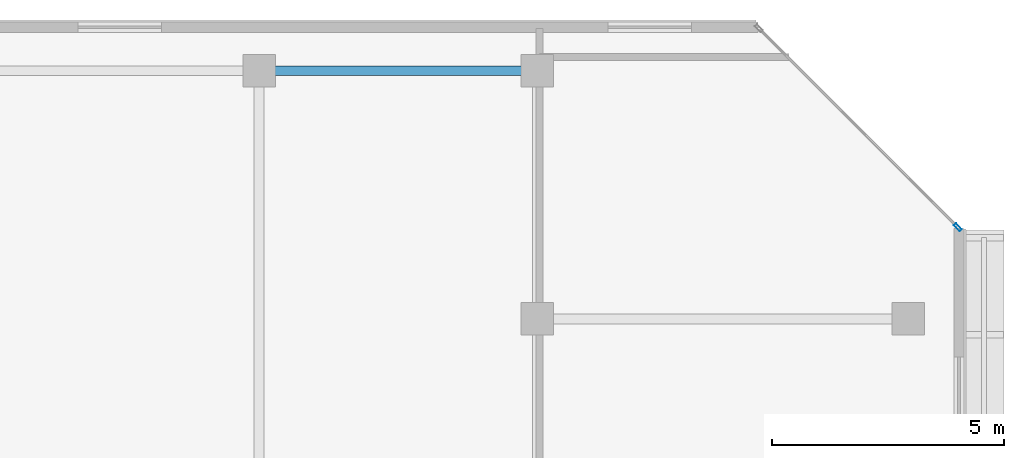
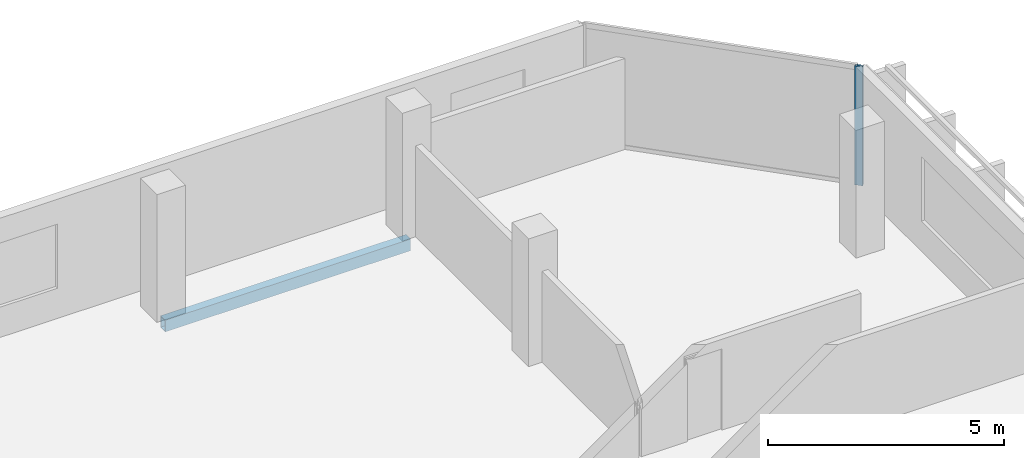
# One storey, part 18 of 29: 1 beam, 1 member, 1 element without a shape of its own.
"""IFC4 building model written with IfcOpenShell, lengths in metres."""

import ifcopenshell
import ifcopenshell.guid

model = None  # the IFC model being written
_history = None  # IfcOwnerHistory: only IFC2X3 demands one
_inside = {}  # id of a spatial element -> (the spatial element, [elements in it])
_under = {}  # id of a project, library or spatial element -> (it, [spatial elements below it])
_declared = {}  # id of a project -> (the project, [libraries it declares])
_typed = {}  # id of a type object -> (the type object, [elements of that type])
_made_of = {}  # id of a material, layer set ... -> (it, [elements and type objects made of it])


def new_model(schema):
    """Start an empty IFC model of exactly this schema.

    Asked for "IFC4X3", IfcOpenShell would pick the latest addendum, in which some entities
    have other attributes; the version numbers below select the first issue.
    IFC2X3 requires an IfcOwnerHistory on every rooted entity: one is made here for all.
    """
    global model, _history
    if schema == "IFC4X3":
        model = ifcopenshell.file(schema_version=(4, 3, 0, 0))
    else:
        model = ifcopenshell.file(schema=schema)
    _inside.clear()
    _under.clear()
    _declared.clear()
    _typed.clear()
    _made_of.clear()
    _history = None
    if model.schema == "IFC2X3":
        org = make("IfcOrganization", Name="unknown")
        user = make(
            "IfcPersonAndOrganization",
            ThePerson=make("IfcPerson", FamilyName="unknown"),
            TheOrganization=org,
        )
        app = make(
            "IfcApplication",
            ApplicationDeveloper=org,
            Version="unknown",
            ApplicationFullName="unknown",
            ApplicationIdentifier="unknown",
        )
        _history = make(
            "IfcOwnerHistory",
            OwningUser=user,
            OwningApplication=app,
            ChangeAction="ADDED",
            CreationDate=0,
        )
    return model


def make(cls, **values):
    """One entity of the class cls with the attributes given. An attribute that is None is left unset."""
    return model.create_entity(
        cls, **{name: value for name, value in values.items() if value is not None}
    )


def rooted(cls, **values):
    """An entity with a GlobalId (a new one), such as an element, a storey or a relation."""
    return make(cls, GlobalId=ifcopenshell.guid.new(), OwnerHistory=_history, **values)


def si_unit(unit_type, name, prefix=None):
    """IfcSIUnit, for example si_unit("LENGTHUNIT", "METRE", prefix="MILLI")."""
    return make("IfcSIUnit", UnitType=unit_type, Prefix=prefix, Name=name)


def assignment(units):
    """IfcUnitAssignment: the units of a project."""
    return None if units is None else make("IfcUnitAssignment", Units=units)


def point(xyz):
    """IfcCartesianPoint."""
    return None if xyz is None else make("IfcCartesianPoint", Coordinates=xyz)


def direction(xyz):
    """IfcDirection."""
    return None if xyz is None else make("IfcDirection", DirectionRatios=xyz)


def frame(location, z_axis=None, x_axis=None):
    """IfcAxis2Placement3D, a coordinate frame: its origin and axes. An axis left out is left unset."""
    return make(
        "IfcAxis2Placement3D",
        Location=point(location),
        Axis=direction(z_axis),
        RefDirection=direction(x_axis),
    )


def frame_2d(location, x_axis=None):
    """IfcAxis2Placement2D, a coordinate frame in the plane: its origin and x axis."""
    return make(
        "IfcAxis2Placement2D", Location=point(location), RefDirection=direction(x_axis)
    )


def origin():
    """The frame at (0, 0, 0) with its axes left unset."""
    return frame((0.0, 0.0, 0.0))


def origin_2d():
    """The frame at (0, 0) in the plane with its x axis left unset."""
    return frame_2d((0.0, 0.0))


def place(relative_to, where):
    """IfcLocalPlacement: puts the frame where relative to a parent placement (None: the world)."""
    return make(
        "IfcLocalPlacement", PlacementRelTo=relative_to, RelativePlacement=where
    )


def context(
    kind, dimensions, precision=None, world=None, true_north=None, identifier=None
):
    """IfcGeometricRepresentationContext, for example the 3D "Model" context."""
    return make(
        "IfcGeometricRepresentationContext",
        ContextIdentifier=identifier,
        ContextType=kind,
        CoordinateSpaceDimension=dimensions,
        Precision=precision,
        WorldCoordinateSystem=world,
        TrueNorth=true_north,
    )


def subcontext(parent, identifier, kind, view, scale=None):
    """IfcGeometricRepresentationSubContext, for example "Body" below "Model"."""
    return make(
        "IfcGeometricRepresentationSubContext",
        ContextIdentifier=identifier,
        ContextType=kind,
        ParentContext=parent,
        TargetScale=scale,
        TargetView=view,
    )


def project(units=None, contexts=None):
    """IfcProject with its units and contexts."""
    return rooted(
        "IfcProject",
        Name="project",
        RepresentationContexts=contexts,
        UnitsInContext=assignment(units),
    )


def spatial(cls, under=None, at=None, **own):
    """A site, building, storey or space (cls), placed at a placement, below another one or the project."""
    s = rooted(cls, ObjectPlacement=at, **own)
    if under is not None:
        _under.setdefault(under.id(), (under, []))[1].append(s)
    return s


def profile(cls, at=None, kind="AREA", **sizes):
    """A parametric profile (cls). Its sizes go by their IFC names, for example OverallWidth=200.0."""
    return make(cls, ProfileType=kind, Position=at, **sizes)


def hollow_rectangle(**sizes):
    """IfcRectangleHollowProfileDef."""
    return profile("IfcRectangleHollowProfileDef", **sizes)


def extrude(swept, where, along, depth):
    """IfcExtrudedAreaSolid: the profile swept, set in the frame where, extruded along a direction by depth."""
    return make(
        "IfcExtrudedAreaSolid",
        SweptArea=swept,
        Position=where,
        ExtrudedDirection=direction(along),
        Depth=depth,
    )


def shape(context_of_items, identifier, shape_type, items):
    """IfcShapeRepresentation: the items that make up one representation, for example the "Body"."""
    return make(
        "IfcShapeRepresentation",
        ContextOfItems=context_of_items,
        RepresentationIdentifier=identifier,
        RepresentationType=shape_type,
        Items=items,
    )


def material(Name=None, Category=None):
    """IfcMaterial."""
    return make("IfcMaterial", Name=Name, Category=Category)


def layer(
    of_material, thickness, ventilated=None, Name=None, Category=None, Priority=None
):
    """IfcMaterialLayer: one layer of a wall or slab, of a material (None: an air gap)."""
    return make(
        "IfcMaterialLayer",
        Material=of_material,
        LayerThickness=thickness,
        IsVentilated=ventilated,
        Name=Name,
        Category=Category,
        Priority=Priority,
    )


def layer_set(layers, Name=None):
    """IfcMaterialLayerSet."""
    return make("IfcMaterialLayerSet", MaterialLayers=layers, LayerSetName=Name)


def material_profile(
    of_material, cross_section, Name=None, Category=None, Priority=None
):
    """IfcMaterialProfile: a cross section and its material."""
    return make(
        "IfcMaterialProfile",
        Name=Name,
        Material=of_material,
        Profile=cross_section,
        Priority=Priority,
        Category=Category,
    )


def profile_set(profiles, Name=None, composite=None):
    """IfcMaterialProfileSet."""
    return make(
        "IfcMaterialProfileSet",
        Name=Name,
        MaterialProfiles=profiles,
        CompositeProfile=composite,
    )


def made_of(thing, what):
    """Note that an element or type object is made of a material, layer set ...; save() writes the relation."""
    if what is not None:
        _made_of.setdefault(what.id(), (what, []))[1].append(thing)
    return thing


def type_object(cls, material=None, **own):
    """A type object (cls), such as IfcWallType, which elements share."""
    return made_of(rooted(cls, **own), material)


def element(
    cls,
    number,
    at=None,
    inside=None,
    cuts=None,
    type_object=None,
    material=None,
    context=None,
    identifier="Body",
    shape_type=None,
    held_by="IfcProductDefinitionShape",
    body=None,
    shapes=None,
    **own,
):
    """One element of the class cls, such as IfcWall. Its Tag is "e" and its number.

    at: its placement. inside: the storey or other place that contains it. cuts: it is an
    opening in that element (IfcRelVoidsElement). A single representation is given by context,
    identifier, shape_type and body (its items); several are given by shapes. held_by: the class
    of the entity that holds the representations. save() writes the other relations.
    """
    e = rooted(cls, Tag="e%d" % number, ObjectPlacement=at, **own)
    if body is not None:
        shapes = [shape(context, identifier, shape_type, body)]
    if shapes is not None:
        e.Representation = make(held_by, Representations=shapes)
    if inside is not None:
        _inside.setdefault(inside.id(), (inside, []))[1].append(e)
    if cuts is not None:
        rooted(
            "IfcRelVoidsElement", RelatingBuildingElement=cuts, RelatedOpeningElement=e
        )
    if type_object is not None:
        _typed.setdefault(type_object.id(), (type_object, []))[1].append(e)
    return made_of(e, material)


def aggregate(whole, parts):
    """IfcRelAggregates: a whole, such as a stair, and the parts it consists of."""
    return rooted("IfcRelAggregates", RelatingObject=whole, RelatedObjects=parts)


def save(model, path):
    """Write the relations noted so far, then the file.

    IfcRelAggregates (storeys below a building ...), IfcRelContainedInSpatialStructure (elements
    in a storey), IfcRelDefinesByType, IfcRelAssociatesMaterial and IfcRelDeclares: one each for
    every whole, place, type object, material and project.
    """
    for whole, parts in _under.values():
        aggregate(whole, parts)
    for where, things in _inside.values():
        rooted(
            "IfcRelContainedInSpatialStructure",
            RelatedElements=things,
            RelatingStructure=where,
        )
    for kind, things in _typed.values():
        rooted("IfcRelDefinesByType", RelatedObjects=things, RelatingType=kind)
    for what, things in _made_of.values():
        rooted("IfcRelAssociatesMaterial", RelatedObjects=things, RelatingMaterial=what)
    for by, libraries in _declared.values():
        rooted("IfcRelDeclares", RelatingContext=by, RelatedDefinitions=libraries)
    model.write(path)


model = new_model("IFC4")

# Units and contexts
model_context = context("Model", 3, precision=1e-05, world=origin(), true_north=direction((0.0, 1.0)))
body_context = subcontext(model_context, "Body", "Model", "MODEL_VIEW")
ifc_project = project(units=[si_unit("LENGTHUNIT", "METRE"), si_unit("AREAUNIT", "SQUARE_METRE"), si_unit("VOLUMEUNIT", "CUBIC_METRE"), si_unit("PLANEANGLEUNIT", "RADIAN"), si_unit("MASSUNIT", "GRAM", prefix="KILO")], contexts=[model_context])

# Site, building, storey
site_placement = place(None, origin())
site = spatial("IfcSite", under=ifc_project, at=site_placement, CompositionType="ELEMENT")
building_placement = place(site_placement, origin())
building = spatial("IfcBuilding", under=site, at=building_placement, Name="Tanjung Sevakor Pilgrim Tower", CompositionType="ELEMENT")
storey_placement = place(building_placement, frame((0.0, 0.0, 232.64990234375)))
storey = spatial("IfcBuildingStorey", under=building, at=storey_placement, Name="L65", CompositionType="ELEMENT", Elevation=232.64990234375)

# Beam
ifc_material_1 = material(Name="Steel S355J2", Category="steel")
ifc_material_profile_1 = material_profile(ifc_material_1, hollow_rectangle(XDim=0.199951171875, YDim=0.300048828125, WallThickness=0.012451171875, at=origin_2d()))
ifc_profile_set_1 = profile_set([ifc_material_profile_1], Name="Steel S355J2")
beam_type = type_object("IfcBeamType", Name="BM-B-SP3-RHS_300x200x12.5", PredefinedType="SPANDREL", material=ifc_profile_set_1)
beam_placement = place(storey_placement, frame((84.0, 53.949951171875, -0.369873046875), z_axis=(1.0, 0.0, 0.0), x_axis=(0.0, 1.0, 0.0)))
element("IfcBeam", 1, at=beam_placement, inside=storey, type_object=beam_type, Name="L65 Spandrel EAST N-06", PredefinedType="SPANDREL", context=body_context, shape_type="SweptSolid", body=[
    extrude(hollow_rectangle(XDim=0.199951171875, YDim=0.300048828125, WallThickness=0.012451171875, at=origin_2d()), origin(), (0.0, 0.0, 1.0), 6.0),
])

# Curtain wall, member
ifc_material_2 = material(Name="Aluminium 6063-T6 and Low-E Glass", Category="aluminium")
ifc_layer = layer(ifc_material_2, 0.179931640625)
ifc_layer_set = layer_set([ifc_layer], Name="CW-SYS-CHAM")
curtain_wall_type = type_object("IfcCurtainWallType", Name="CW-SYS-CHAM", PredefinedType="NOTDEFINED", material=ifc_layer_set)
curtain_wall_placement = place(storey_placement, origin())
curtain_wall = element("IfcCurtainWall", 2, at=curtain_wall_placement, inside=storey, type_object=curtain_wall_type, Name="L65 Curtain Wall CW-CHM-L65-EAST-3", PredefinedType="NOTDEFINED")
ifc_material_3 = material(Name="Aluminium 6063-T6", Category="aluminium")
ifc_material_profile_2 = material_profile(ifc_material_3, hollow_rectangle(XDim=0.06494140625, YDim=0.179931640625, WallThickness=0.00390625, at=origin_2d()))
ifc_profile_set_2 = profile_set([ifc_material_profile_2], Name="Aluminium 6063-T6")
member_type = type_object("IfcMemberType", Name="TYPE-CWM-1", PredefinedType="MULLION", material=ifc_profile_set_2)
member_placement = place(storey_placement, frame((99.067138671875, 50.577392578125, 0.0), z_axis=(0.0, 0.0, 1.0), x_axis=(-0.707106781187, -0.707106781187, 0.0)))
member = element("IfcMember", 3, at=member_placement, type_object=member_type, Name="CW-CHM mullion 1", PredefinedType="MULLION", context=body_context, shape_type="SweptSolid", body=[
    extrude(hollow_rectangle(XDim=0.06494140625, YDim=0.179931640625, WallThickness=0.00390625, at=origin_2d()), origin(), (0.0, 0.0, 1.0), 3.080078125),
])
aggregate(curtain_wall, [member])

save(model, "model.ifc")
